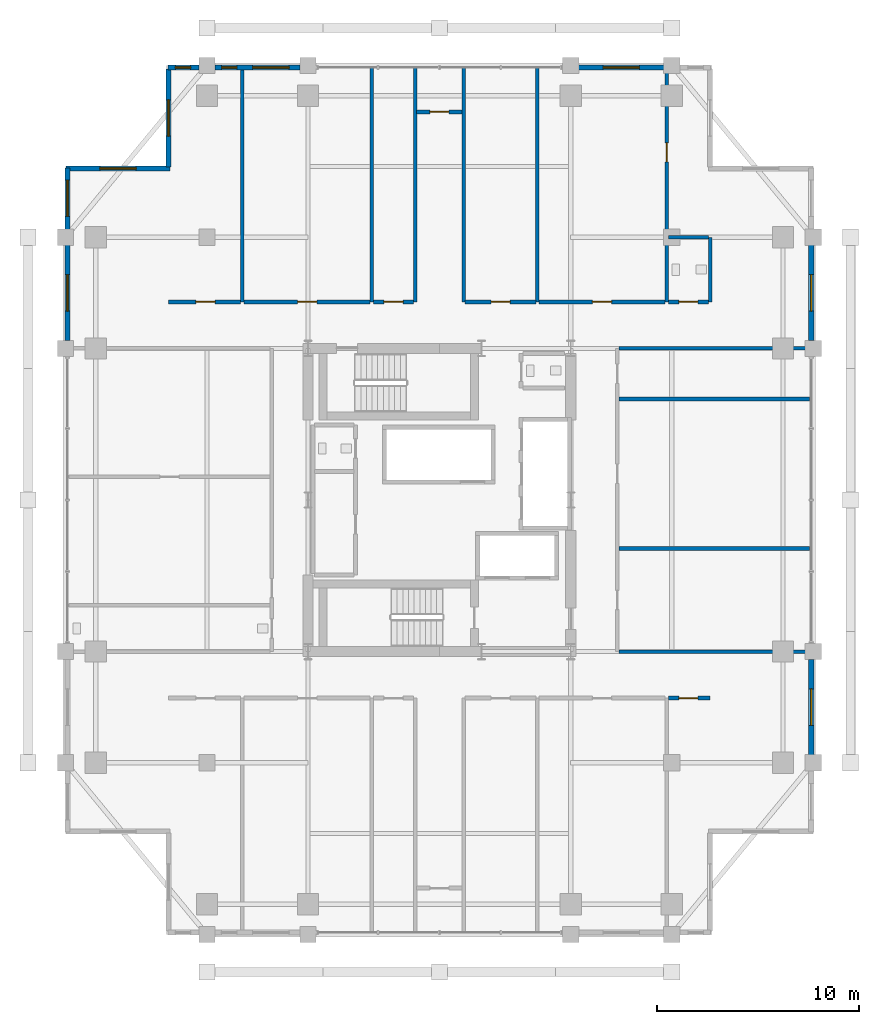
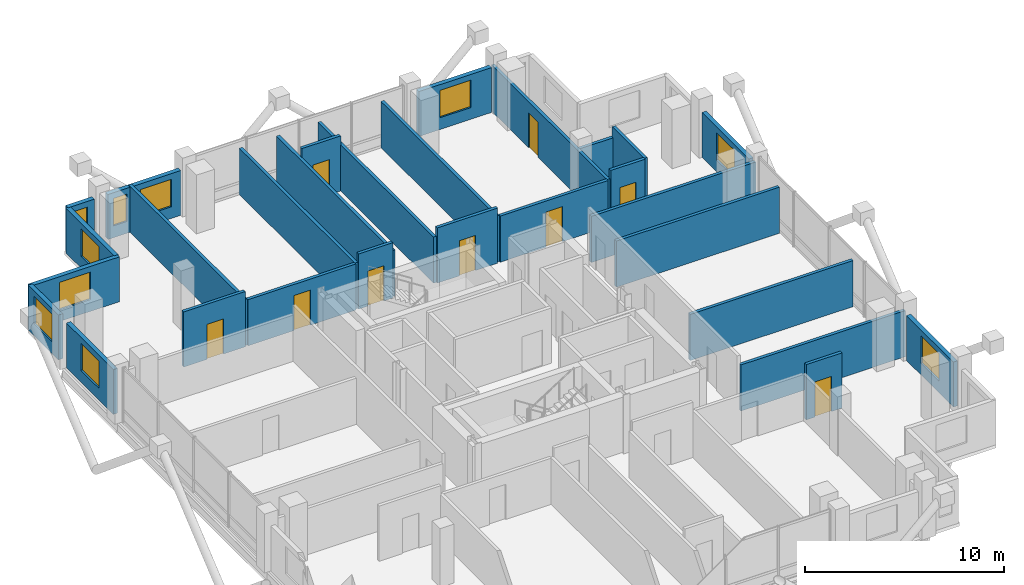
# One storey, part 20 of 23: 29 walls, 10 windows, 9 doors, 19 openings.
"""IFC4 building model written with IfcOpenShell, lengths in metres."""

from ifc_helpers import new_model, si_unit, direction, frame, frame_2d, origin, place, context, subcontext, project, spatial, rectangle, extrude, material, layer, layer_set, type_object, element, fill, save


model = new_model("IFC4")

# Units and contexts
model_context = context("Model", 3, precision=1e-05, world=origin(), true_north=direction((0.0, 1.0)))
body_context = subcontext(model_context, "Body", "Model", "MODEL_VIEW")
ifc_project = project(units=[si_unit("LENGTHUNIT", "METRE"), si_unit("AREAUNIT", "SQUARE_METRE"), si_unit("VOLUMEUNIT", "CUBIC_METRE"), si_unit("PLANEANGLEUNIT", "RADIAN"), si_unit("MASSUNIT", "GRAM", prefix="KILO")], contexts=[model_context])

# Site, building, storey
site_placement = place(None, origin())
site = spatial("IfcSite", under=ifc_project, at=site_placement, CompositionType="ELEMENT")
building_placement = place(site_placement, origin())
building = spatial("IfcBuilding", under=site, at=building_placement, Name="Barlavira Tower and Art Museum", CompositionType="ELEMENT")
storey_placement = place(building_placement, frame((0.0, 0.0, 205.199951171875)))
storey = spatial("IfcBuildingStorey", under=building, at=storey_placement, Name="L53", CompositionType="ELEMENT", Elevation=205.199951171875)

# Walls
ifc_material_1 = material(Name="Gypsum acoustic stud partition", Category="gypsum")
ifc_layer_1 = layer(ifc_material_1, 0.179931640625, Name="Gypsum acoustic stud partition")
ifc_layer_set_1 = layer_set([ifc_layer_1], Name="Gypsum acoustic stud partition")
wall_type_1 = type_object("IfcWallType", Name="Inter-Tenancy Party Partition Wall 180", PredefinedType="PARTITIONING", material=ifc_layer_set_1)
for number, where, z_axis, x_axis, name in (
    (1, (-9.75, 9.800048828125, 0.0), (0.0, 0.0, 1.0), (0.0, 1.0, 0.0), "L53 Partition Wall 2"),
    (2, (-3.35009765625, 9.800048828125, 0.0), (0.0, 0.0, 1.0), (0.0, 1.0, 0.0), "L53 Partition Wall 7"),
    (3, (-1.199951171875, 9.800048828125, 0.0), (0.0, 0.0, 1.0), (0.0, 1.0, 0.0), "L53 Partition Wall 9"),
    (4, (1.199951171875, 9.800048828125, 0.0), (0.0, 0.0, 1.0), (0.0, 1.0, 0.0), "L53 Partition Wall 11"),
    (5, (4.85009765625, 9.800048828125, 0.0), (0.0, 0.0, 1.0), (0.0, 1.0, 0.0), "L53 Partition Wall 14"),
):
    element("IfcWall", number, at=place(storey_placement, frame(where, z_axis=z_axis, x_axis=x_axis)), inside=storey, type_object=wall_type_1, Name=name, PredefinedType="PARTITIONING", context=body_context, shape_type="SweptSolid", body=[
        extrude(rectangle(XDim=11.599853515625, YDim=0.179931640625, at=frame_2d((5.7998046875, 0.0))), origin(), (0.0, 0.0, 1.0), 2.825927734375),
    ])

# Wall, opening, door
wall_1_placement = place(storey_placement, frame((11.25, 9.800048828125, 0.0), z_axis=(0.0, 0.0, 1.0), x_axis=(0.0, 1.0, 0.0)))
wall_1 = element("IfcWall", 6, at=wall_1_placement, inside=storey, type_object=wall_type_1, Name="L53 Partition Wall 17", PredefinedType="PARTITIONING", context=body_context, shape_type="SweptSolid", body=[
    extrude(rectangle(XDim=11.599853515625, YDim=0.179931640625, at=frame_2d((5.7998046875, 0.0))), origin(), (0.0, 0.0, 1.0), 2.825927734375),
])
opening_1_placement = place(wall_1_placement, frame((6.925048828125, 0.0, 0.0)))
opening_1 = element("IfcOpeningElement", 7, at=opening_1_placement, cuts=wall_1, Name="Opening FD-60", PredefinedType="OPENING", context=body_context, shape_type="SweptSolid", body=[
    extrude(rectangle(XDim=0.949951171875, YDim=2.14990234375, at=frame_2d((0.47509765625, 1.074951171875))), frame((0.0, 0.10009765625, 0.0), z_axis=(0.0, -1.0, 0.0), x_axis=(1.0, 0.0, 0.0)), (0.0, 0.0, 1.0), 0.199951171875),
])
ifc_material_2 = material(Name="Brushed stainless steel", Category="steel")
door_type = type_object("IfcDoorType", Name="Apartment Entrance and Riser Fire Door 950x2150 FD60S", OperationType="NOTDEFINED", PredefinedType="DOOR", material=ifc_material_2)
door_1_placement = place(opening_1_placement, origin())
door_1 = element("IfcDoor", 8, at=door_1_placement, inside=storey, type_object=door_type, Name="Thermal Relaxation Lounge Door", OperationType="SINGLE_SWING_RIGHT", OverallHeight=2.14990234375, OverallWidth=0.949951171875, PredefinedType="DOOR", context=body_context, shape_type="SweptSolid", body=[
    extrude(rectangle(XDim=0.949951171875, YDim=2.14990234375, at=frame_2d((0.47509765625, 1.074951171875))), frame((0.0, 0.02490234375, 0.0), z_axis=(0.0, -1.0, 0.0), x_axis=(1.0, 0.0, 0.0)), (0.0, 0.0, 1.0), 0.050048828125),
])
fill(opening_1, door_1)

# Wall
wall_2_placement = place(storey_placement, frame((13.39990234375, 9.800048828125, 0.0), z_axis=(0.0, 0.0, 1.0), x_axis=(0.0, 1.0, 0.0)))
element("IfcWall", 9, at=wall_2_placement, inside=storey, type_object=wall_type_1, Name="L53 Partition Wall 18", PredefinedType="PARTITIONING", context=body_context, shape_type="SweptSolid", body=[
    extrude(rectangle(XDim=3.199951171875, YDim=0.179931640625, at=frame_2d((1.60009765625, 0.0))), origin(), (0.0, 0.0, 1.0), 3.380126953125),
])

# Wall, opening, door
wall_3_placement = place(storey_placement, frame((11.330078125, -9.800048828125, 0.0), z_axis=(0.0, 0.0, 1.0), x_axis=(1.0, 0.0, 0.0)))
wall_3 = element("IfcWall", 10, at=wall_3_placement, inside=storey, type_object=wall_type_1, Name="L53 Partition Wall 25", PredefinedType="PARTITIONING", context=body_context, shape_type="SweptSolid", body=[
    extrude(rectangle(XDim=2.06982421875, YDim=0.179931640625, at=frame_2d((1.034912109375, 0.0))), origin(), (0.0, 0.0, 1.0), 3.380126953125),
])
opening_2_placement = place(wall_3_placement, frame((0.514892578125, 0.0, 0.0)))
opening_2 = element("IfcOpeningElement", 11, at=opening_2_placement, cuts=wall_3, Name="Opening FD-60", PredefinedType="OPENING", context=body_context, shape_type="SweptSolid", body=[
    extrude(rectangle(XDim=0.949951171875, YDim=2.14990234375, at=frame_2d((0.47509765625, 1.074951171875))), frame((0.0, 0.10009765625, 0.0), z_axis=(0.0, -1.0, 0.0), x_axis=(1.0, 0.0, 0.0)), (0.0, 0.0, 1.0), 0.199951171875),
])
door_2_placement = place(opening_2_placement, origin())
door_2 = element("IfcDoor", 12, at=door_2_placement, inside=storey, type_object=door_type, Name="Shared Catering Kitchen Door", OperationType="SINGLE_SWING_RIGHT", OverallHeight=2.14990234375, OverallWidth=0.949951171875, PredefinedType="DOOR", context=body_context, shape_type="SweptSolid", body=[
    extrude(rectangle(XDim=0.949951171875, YDim=2.14990234375, at=frame_2d((0.47509765625, 1.074951171875))), frame((0.0, 0.02490234375, 0.0), z_axis=(0.0, -1.0, 0.0), x_axis=(1.0, 0.0, 0.0)), (0.0, 0.0, 1.0), 0.050048828125),
])
fill(opening_2, door_2)

# Walls
wall_4_placement = place(storey_placement, frame((8.8798828125, -7.5, 0.0), z_axis=(0.0, 0.0, 1.0), x_axis=(1.0, 0.0, 0.0)))
element("IfcWall", 13, at=wall_4_placement, inside=storey, type_object=wall_type_1, Name="L53 Partition Wall 27", PredefinedType="PARTITIONING", context=body_context, shape_type="SweptSolid", body=[
    extrude(rectangle(XDim=9.52001953125, YDim=0.179931640625, at=frame_2d((4.760009765625, 0.0))), origin(), (0.0, 0.0, 1.0), 2.825927734375),
])
for number, where, z_axis, x_axis, name in (
    (14, (8.8798828125, -2.39990234375, 0.0), (0.0, 0.0, 1.0), (1.0, 0.0, 0.0), "L53 Partition Wall 30"),
    (15, (8.8798828125, 5.0, 0.0), (0.0, 0.0, 1.0), (1.0, 0.0, 0.0), "L53 Partition Wall 34"),
):
    element("IfcWall", number, at=place(storey_placement, frame(where, z_axis=z_axis, x_axis=x_axis)), inside=storey, type_object=wall_type_1, Name=name, PredefinedType="PARTITIONING", context=body_context, shape_type="SweptSolid", body=[
        extrude(rectangle(XDim=9.440185546875, YDim=0.179931640625, at=frame_2d((4.72021484375, 0.0))), origin(), (0.0, 0.0, 1.0), 2.825927734375),
    ])
wall_5_placement = place(storey_placement, frame((8.8798828125, 7.5, 0.0), z_axis=(0.0, 0.0, 1.0), x_axis=(1.0, 0.0, 0.0)))
element("IfcWall", 16, at=wall_5_placement, inside=storey, type_object=wall_type_1, Name="L53 Partition Wall 38", PredefinedType="PARTITIONING", context=body_context, shape_type="SweptSolid", body=[
    extrude(rectangle(XDim=9.52001953125, YDim=0.179931640625, at=frame_2d((4.760009765625, 0.0))), origin(), (0.0, 0.0, 1.0), 2.825927734375),
])

# Wall, opening, door
wall_6_placement = place(storey_placement, frame((-13.39990234375, 9.800048828125, 0.0), z_axis=(0.0, 0.0, 1.0), x_axis=(1.0, 0.0, 0.0)))
wall_6 = element("IfcWall", 17, at=wall_6_placement, inside=storey, type_object=wall_type_1, Name="L53 Partition Wall 39", PredefinedType="PARTITIONING", context=body_context, shape_type="SweptSolid", body=[
    extrude(rectangle(XDim=3.56982421875, YDim=0.179931640625, at=frame_2d((1.784912109375, 0.0))), origin(), (0.0, 0.0, 1.0), 3.380126953125),
])
opening_3_placement = place(wall_6_placement, frame((1.35498046875, 0.0, 0.0)))
opening_3 = element("IfcOpeningElement", 18, at=opening_3_placement, cuts=wall_6, Name="Opening FD-60", PredefinedType="OPENING", context=body_context, shape_type="SweptSolid", body=[
    extrude(rectangle(XDim=0.949951171875, YDim=2.14990234375, at=frame_2d((0.47509765625, 1.074951171875))), frame((0.0, 0.10009765625, 0.0), z_axis=(0.0, -1.0, 0.0), x_axis=(1.0, 0.0, 0.0)), (0.0, 0.0, 1.0), 0.199951171875),
])
door_3_placement = place(opening_3_placement, origin())
door_3 = element("IfcDoor", 19, at=door_3_placement, inside=storey, type_object=door_type, Name="Resident Sky Coworking Studio Door", OperationType="SINGLE_SWING_RIGHT", OverallHeight=2.14990234375, OverallWidth=0.949951171875, PredefinedType="DOOR", context=body_context, shape_type="SweptSolid", body=[
    extrude(rectangle(XDim=0.949951171875, YDim=2.14990234375, at=frame_2d((0.47509765625, 1.074951171875))), frame((0.0, 0.02490234375, 0.0), z_axis=(0.0, -1.0, 0.0), x_axis=(1.0, 0.0, 0.0)), (0.0, 0.0, 1.0), 0.050048828125),
])
fill(opening_3, door_3)

wall_7_placement = place(storey_placement, frame((-9.669921875, 9.800048828125, 0.0), z_axis=(0.0, 0.0, 1.0), x_axis=(1.0, 0.0, 0.0)))
wall_7 = element("IfcWall", 20, at=wall_7_placement, inside=storey, type_object=wall_type_1, Name="L53 Partition Wall 40", PredefinedType="PARTITIONING", context=body_context, shape_type="SweptSolid", body=[
    extrude(rectangle(XDim=6.239990234375, YDim=0.179931640625, at=frame_2d((3.1201171875, 0.0))), origin(), (0.0, 0.0, 1.0), 2.825927734375),
])
opening_4_placement = place(wall_7_placement, frame((2.655029296875, 0.0, 0.0)))
opening_4 = element("IfcOpeningElement", 21, at=opening_4_placement, cuts=wall_7, Name="Opening FD-60", PredefinedType="OPENING", context=body_context, shape_type="SweptSolid", body=[
    extrude(rectangle(XDim=0.949951171875, YDim=2.14990234375, at=frame_2d((0.47509765625, 1.074951171875))), frame((0.0, 0.10009765625, 0.0), z_axis=(0.0, -1.0, 0.0), x_axis=(1.0, 0.0, 0.0)), (0.0, 0.0, 1.0), 0.199951171875),
])
door_4_placement = place(opening_4_placement, origin())
door_4 = element("IfcDoor", 22, at=door_4_placement, inside=storey, type_object=door_type, Name="Atlantic Horizon Boardroom Door", OperationType="SINGLE_SWING_LEFT", OverallHeight=2.14990234375, OverallWidth=0.949951171875, PredefinedType="DOOR", context=body_context, shape_type="SweptSolid", body=[
    extrude(rectangle(XDim=0.949951171875, YDim=2.14990234375, at=frame_2d((0.47509765625, 1.074951171875))), frame((0.0, 0.02490234375, 0.0), z_axis=(0.0, -1.0, 0.0), x_axis=(1.0, 0.0, 0.0)), (0.0, 0.0, 1.0), 0.050048828125),
])
fill(opening_4, door_4)

wall_8_placement = place(storey_placement, frame((-3.27001953125, 9.800048828125, 0.0), z_axis=(0.0, 0.0, 1.0), x_axis=(1.0, 0.0, 0.0)))
wall_8 = element("IfcWall", 23, at=wall_8_placement, inside=storey, type_object=wall_type_1, Name="L53 Partition Wall 41", PredefinedType="PARTITIONING", context=body_context, shape_type="SweptSolid", body=[
    extrude(rectangle(XDim=1.989990234375, YDim=0.179931640625, at=frame_2d((0.9951171875, 0.0))), origin(), (0.0, 0.0, 1.0), 3.380126953125),
])
opening_5_placement = place(wall_8_placement, frame((0.52490234375, 0.0, 0.0)))
opening_5 = element("IfcOpeningElement", 24, at=opening_5_placement, cuts=wall_8, Name="Opening FD-60", PredefinedType="OPENING", context=body_context, shape_type="SweptSolid", body=[
    extrude(rectangle(XDim=0.949951171875, YDim=2.14990234375, at=frame_2d((0.47509765625, 1.074951171875))), frame((0.0, 0.10009765625, 0.0), z_axis=(0.0, -1.0, 0.0), x_axis=(1.0, 0.0, 0.0)), (0.0, 0.0, 1.0), 0.199951171875),
])
door_5_placement = place(opening_5_placement, origin())
door_5 = element("IfcDoor", 25, at=door_5_placement, inside=storey, type_object=door_type, Name="Shared Coworking Espresso Pantry Door", OperationType="SINGLE_SWING_RIGHT", OverallHeight=2.14990234375, OverallWidth=0.949951171875, PredefinedType="DOOR", context=body_context, shape_type="SweptSolid", body=[
    extrude(rectangle(XDim=0.949951171875, YDim=2.14990234375, at=frame_2d((0.47509765625, 1.074951171875))), frame((0.0, 0.02490234375, 0.0), z_axis=(0.0, -1.0, 0.0), x_axis=(1.0, 0.0, 0.0)), (0.0, 0.0, 1.0), 0.050048828125),
])
fill(opening_5, door_5)

wall_9_placement = place(storey_placement, frame((1.280029296875, 9.800048828125, 0.0), z_axis=(0.0, 0.0, 1.0), x_axis=(1.0, 0.0, 0.0)))
wall_9 = element("IfcWall", 26, at=wall_9_placement, inside=storey, type_object=wall_type_1, Name="L53 Partition Wall 42", PredefinedType="PARTITIONING", context=body_context, shape_type="SweptSolid", body=[
    extrude(rectangle(XDim=3.489990234375, YDim=0.179931640625, at=frame_2d((1.7451171875, 0.0))), origin(), (0.0, 0.0, 1.0), 3.380126953125),
])
opening_6_placement = place(wall_9_placement, frame((1.27490234375, 0.0, 0.0)))
opening_6 = element("IfcOpeningElement", 27, at=opening_6_placement, cuts=wall_9, Name="Opening FD-60", PredefinedType="OPENING", context=body_context, shape_type="SweptSolid", body=[
    extrude(rectangle(XDim=0.949951171875, YDim=2.14990234375, at=frame_2d((0.47509765625, 1.074951171875))), frame((0.0, 0.10009765625, 0.0), z_axis=(0.0, -1.0, 0.0), x_axis=(1.0, 0.0, 0.0)), (0.0, 0.0, 1.0), 0.199951171875),
])
door_6_placement = place(opening_6_placement, origin())
door_6 = element("IfcDoor", 28, at=door_6_placement, inside=storey, type_object=door_type, Name="Resident Ocean-View Fitness Studio Door", OperationType="SINGLE_SWING_LEFT", OverallHeight=2.14990234375, OverallWidth=0.949951171875, PredefinedType="DOOR", context=body_context, shape_type="SweptSolid", body=[
    extrude(rectangle(XDim=0.949951171875, YDim=2.14990234375, at=frame_2d((0.47509765625, 1.074951171875))), frame((0.0, 0.02490234375, 0.0), z_axis=(0.0, -1.0, 0.0), x_axis=(1.0, 0.0, 0.0)), (0.0, 0.0, 1.0), 0.050048828125),
])
fill(opening_6, door_6)

wall_10_placement = place(storey_placement, frame((4.929931640625, 9.800048828125, 0.0), z_axis=(0.0, 0.0, 1.0), x_axis=(1.0, 0.0, 0.0)))
wall_10 = element("IfcWall", 29, at=wall_10_placement, inside=storey, type_object=wall_type_1, Name="L53 Partition Wall 43", PredefinedType="PARTITIONING", context=body_context, shape_type="SweptSolid", body=[
    extrude(rectangle(XDim=6.239990234375, YDim=0.179931640625, at=frame_2d((3.1201171875, 0.0))), origin(), (0.0, 0.0, 1.0), 2.825927734375),
])
opening_7_placement = place(wall_10_placement, frame((2.64501953125, 0.0, 0.0)))
opening_7 = element("IfcOpeningElement", 30, at=opening_7_placement, cuts=wall_10, Name="Opening FD-60", PredefinedType="OPENING", context=body_context, shape_type="SweptSolid", body=[
    extrude(rectangle(XDim=0.949951171875, YDim=2.14990234375, at=frame_2d((0.47509765625, 1.074951171875))), frame((0.0, 0.10009765625, 0.0), z_axis=(0.0, -1.0, 0.0), x_axis=(1.0, 0.0, 0.0)), (0.0, 0.0, 1.0), 0.199951171875),
])
door_7_placement = place(opening_7_placement, origin())
door_7 = element("IfcDoor", 31, at=door_7_placement, inside=storey, type_object=door_type, Name="Coastal Hydrotherapy and Yoga Lounge Door", OperationType="SINGLE_SWING_RIGHT", OverallHeight=2.14990234375, OverallWidth=0.949951171875, PredefinedType="DOOR", context=body_context, shape_type="SweptSolid", body=[
    extrude(rectangle(XDim=0.949951171875, YDim=2.14990234375, at=frame_2d((0.47509765625, 1.074951171875))), frame((0.0, 0.02490234375, 0.0), z_axis=(0.0, -1.0, 0.0), x_axis=(1.0, 0.0, 0.0)), (0.0, 0.0, 1.0), 0.050048828125),
])
fill(opening_7, door_7)

wall_11_placement = place(storey_placement, frame((11.330078125, 9.800048828125, 0.0), z_axis=(0.0, 0.0, 1.0), x_axis=(1.0, 0.0, 0.0)))
wall_11 = element("IfcWall", 32, at=wall_11_placement, inside=storey, type_object=wall_type_1, Name="L53 Partition Wall 44", PredefinedType="PARTITIONING", context=body_context, shape_type="SweptSolid", body=[
    extrude(rectangle(XDim=1.989990234375, YDim=0.179931640625, at=frame_2d((0.9951171875, 0.0))), origin(), (0.0, 0.0, 1.0), 3.380126953125),
])
opening_8_placement = place(wall_11_placement, frame((0.514892578125, 0.0, 0.0)))
opening_8 = element("IfcOpeningElement", 33, at=opening_8_placement, cuts=wall_11, Name="Opening FD-60", PredefinedType="OPENING", context=body_context, shape_type="SweptSolid", body=[
    extrude(rectangle(XDim=0.949951171875, YDim=2.14990234375, at=frame_2d((0.47509765625, 1.074951171875))), frame((0.0, 0.10009765625, 0.0), z_axis=(0.0, -1.0, 0.0), x_axis=(1.0, 0.0, 0.0)), (0.0, 0.0, 1.0), 0.199951171875),
])
door_8_placement = place(opening_8_placement, origin())
door_8 = element("IfcDoor", 34, at=door_8_placement, inside=storey, type_object=door_type, Name="Wellness Changing and Accessible Shower WC Door", OperationType="SINGLE_SWING_LEFT", OverallHeight=2.14990234375, OverallWidth=0.949951171875, PredefinedType="DOOR", context=body_context, shape_type="SweptSolid", body=[
    extrude(rectangle(XDim=0.949951171875, YDim=2.14990234375, at=frame_2d((0.47509765625, 1.074951171875))), frame((0.0, 0.02490234375, 0.0), z_axis=(0.0, -1.0, 0.0), x_axis=(1.0, 0.0, 0.0)), (0.0, 0.0, 1.0), 0.050048828125),
])
fill(opening_8, door_8)

# Wall
wall_12_placement = place(storey_placement, frame((11.330078125, 13.0, 0.0), z_axis=(0.0, 0.0, 1.0), x_axis=(1.0, 0.0, 0.0)))
element("IfcWall", 35, at=wall_12_placement, inside=storey, type_object=wall_type_1, Name="L53 Partition Wall 45", PredefinedType="PARTITIONING", context=body_context, shape_type="SweptSolid", body=[
    extrude(rectangle(XDim=1.989990234375, YDim=0.179931640625, at=frame_2d((0.9951171875, 0.0))), origin(), (0.0, 0.0, 1.0), 2.748046875),
])

# Wall, opening, door
wall_13_placement = place(storey_placement, frame((-1.1201171875, 19.199951171875, 0.0), z_axis=(0.0, 0.0, 1.0), x_axis=(1.0, 0.0, 0.0)))
wall_13 = element("IfcWall", 36, at=wall_13_placement, inside=storey, type_object=wall_type_1, Name="L53 Partition Wall 46", PredefinedType="PARTITIONING", context=body_context, shape_type="SweptSolid", body=[
    extrude(rectangle(XDim=2.240234375, YDim=0.179931640625, at=frame_2d((1.1201171875, 0.0))), origin(), (0.0, 0.0, 1.0), 3.380126953125),
])
opening_9_placement = place(wall_13_placement, frame((0.64501953125, 0.0, 0.0)))
opening_9 = element("IfcOpeningElement", 37, at=opening_9_placement, cuts=wall_13, Name="Opening FD-60", PredefinedType="OPENING", context=body_context, shape_type="SweptSolid", body=[
    extrude(rectangle(XDim=0.949951171875, YDim=2.14990234375, at=frame_2d((0.47509765625, 1.074951171875))), frame((0.0, 0.10009765625, 0.0), z_axis=(0.0, -1.0, 0.0), x_axis=(1.0, 0.0, 0.0)), (0.0, 0.0, 1.0), 0.199951171875),
])
door_9_placement = place(opening_9_placement, origin())
door_9 = element("IfcDoor", 38, at=door_9_placement, inside=storey, type_object=door_type, Name="L53 North Ocean Alcove Door", OperationType="SINGLE_SWING_LEFT", OverallHeight=2.14990234375, OverallWidth=0.949951171875, PredefinedType="DOOR", context=body_context, shape_type="SweptSolid", body=[
    extrude(rectangle(XDim=0.949951171875, YDim=2.14990234375, at=frame_2d((0.47509765625, 1.074951171875))), frame((0.0, 0.02490234375, 0.0), z_axis=(0.0, -1.0, 0.0), x_axis=(1.0, 0.0, 0.0)), (0.0, 0.0, 1.0), 0.050048828125),
])
fill(opening_9, door_9)

# Wall, opening, window
ifc_material_3 = material(Name="Precast concrete C40", Category="concrete")
ifc_layer_2 = layer(ifc_material_3, 0.25, Name="Precast concrete C40")
ifc_layer_set_2 = layer_set([ifc_layer_2], Name="Precast concrete C40")
wall_type_2 = type_object("IfcWallType", Name="Notched Corner Spandrel Wall 250 Precast Concrete C40", PredefinedType="SOLIDWALL", material=ifc_layer_set_2)
wall_14_placement = place(storey_placement, frame((11.10498046875, 21.39990234375, 0.0), z_axis=(0.0, 0.0, 1.0), x_axis=(-1.0, 0.0, 0.0)))
wall_14 = element("IfcWall", 39, at=wall_14_placement, inside=storey, type_object=wall_type_2, Name="L53 Coastal Facade Pier Wall CW3-L53-N-2", PredefinedType="SOLIDWALL", context=body_context, shape_type="SweptSolid", body=[
    extrude(rectangle(XDim=4.2099609375, YDim=0.25, at=frame_2d((2.10498046875, 0.0))), origin(), (0.0, 0.0, 1.0), 2.748046875),
])
opening_10_placement = place(wall_14_placement, frame((1.205078125, 0.0, 0.719970703125)))
opening_10 = element("IfcOpeningElement", 40, at=opening_10_placement, cuts=wall_14, Name="Opening WN-01", PredefinedType="OPENING", context=body_context, shape_type="SweptSolid", body=[
    extrude(rectangle(XDim=1.800048828125, YDim=1.679931640625, at=frame_2d((0.89990234375, 0.83984375))), frame((0.0, 0.135009765625, 0.0), z_axis=(0.0, -1.0, 0.0), x_axis=(1.0, 0.0, 0.0)), (0.0, 0.0, 1.0), 0.27001953125),
])
ifc_material_4 = material(Name="Low-iron coastal laminated glass", Category="glass")
window_type_1 = type_object("IfcWindowType", Name="Recessed Notch Corner Punch Window 1800x1680", PartitioningType="SINGLE_PANEL", PredefinedType="WINDOW", material=ifc_material_4)
window_1_placement = place(opening_10_placement, origin())
window_1 = element("IfcWindow", 41, at=window_1_placement, inside=storey, type_object=window_type_1, Name="L53 Punched Facade Window EWP-CW3-L53-N-2-1", OverallHeight=1.679931640625, OverallWidth=1.800048828125, PartitioningType="SINGLE_PANEL", PredefinedType="WINDOW", context=body_context, shape_type="SweptSolid", body=[
    extrude(rectangle(XDim=1.800048828125, YDim=1.679931640625, at=frame_2d((0.89990234375, 0.83984375))), frame((0.0, 0.030029296875, 0.0), z_axis=(0.0, -1.0, 0.0), x_axis=(1.0, 0.0, 0.0)), (0.0, 0.0, 1.0), 0.06005859375),
])
fill(opening_10, window_1)

# Wall, openings, windows
wall_15_placement = place(storey_placement, frame((-6.89501953125, 21.39990234375, 0.0), z_axis=(0.0, 0.0, 1.0), x_axis=(-1.0, 0.0, 0.0)))
wall_15 = element("IfcWall", 42, at=wall_15_placement, inside=storey, type_object=wall_type_2, Name="L53 Coastal Facade Pier Wall CW3-L53-N-4", PredefinedType="SOLIDWALL", context=body_context, shape_type="SweptSolid", body=[
    extrude(rectangle(XDim=4.2099609375, YDim=0.25, at=frame_2d((2.10498046875, 0.0))), origin(), (0.0, 0.0, 1.0), 2.748046875),
])
opening_11_placement = place(wall_15_placement, frame((0.544921875, 0.0, 0.719970703125)))
opening_11 = element("IfcOpeningElement", 43, at=opening_11_placement, cuts=wall_15, Name="Opening WN-01", PredefinedType="OPENING", context=body_context, shape_type="SweptSolid", body=[
    extrude(rectangle(XDim=1.800048828125, YDim=1.679931640625, at=frame_2d((0.89990234375, 0.83984375))), frame((0.0, 0.135009765625, 0.0), z_axis=(0.0, -1.0, 0.0), x_axis=(1.0, 0.0, 0.0)), (0.0, 0.0, 1.0), 0.27001953125),
])
opening_12_placement = place(wall_15_placement, frame((3.125, 0.0, 0.719970703125)))
opening_12 = element("IfcOpeningElement", 44, at=opening_12_placement, cuts=wall_15, Name="Opening WN-06", PredefinedType="OPENING", context=body_context, shape_type="SweptSolid", body=[
    extrude(rectangle(XDim=0.760009765625, YDim=1.679931640625, at=frame_2d((0.3798828125, 0.83984375))), frame((0.0, 0.135009765625, 0.0), z_axis=(0.0, -1.0, 0.0), x_axis=(1.0, 0.0, 0.0)), (0.0, 0.0, 1.0), 0.27001953125),
])
window_type_2 = type_object("IfcWindowType", Name="Recessed Narrow Pier Window 760x1680", PartitioningType="SINGLE_PANEL", PredefinedType="WINDOW", material=ifc_material_4)
window_2_placement = place(opening_12_placement, origin())
window_2 = element("IfcWindow", 45, at=window_2_placement, inside=storey, type_object=window_type_2, Name="L53 Punched Facade Window EWP-CW3-L53-N-4-2", OverallHeight=1.679931640625, OverallWidth=0.760009765625, PartitioningType="SINGLE_PANEL", PredefinedType="WINDOW", context=body_context, shape_type="SweptSolid", body=[
    extrude(rectangle(XDim=0.760009765625, YDim=1.679931640625, at=frame_2d((0.3798828125, 0.83984375))), frame((0.0, 0.030029296875, 0.0), z_axis=(0.0, -1.0, 0.0), x_axis=(1.0, 0.0, 0.0)), (0.0, 0.0, 1.0), 0.06005859375),
])
fill(opening_12, window_2)
window_3_placement = place(opening_11_placement, origin())
window_3 = element("IfcWindow", 46, at=window_3_placement, inside=storey, type_object=window_type_1, Name="L53 Punched Facade Window EWP-CW3-L53-N-4-1", OverallHeight=1.679931640625, OverallWidth=1.800048828125, PartitioningType="SINGLE_PANEL", PredefinedType="WINDOW", context=body_context, shape_type="SweptSolid", body=[
    extrude(rectangle(XDim=1.800048828125, YDim=1.679931640625, at=frame_2d((0.89990234375, 0.83984375))), frame((0.0, 0.030029296875, 0.0), z_axis=(0.0, -1.0, 0.0), x_axis=(1.0, 0.0, 0.0)), (0.0, 0.0, 1.0), 0.06005859375),
])
fill(opening_11, window_3)

# Wall, opening, window
wall_16_placement = place(storey_placement, frame((-11.89501953125, 21.39990234375, 0.0), z_axis=(0.0, 0.0, 1.0), x_axis=(-1.0, 0.0, 0.0)))
wall_16 = element("IfcWall", 47, at=wall_16_placement, inside=storey, type_object=wall_type_2, Name="L53 Coastal Facade Pier Wall CW3-L53-N-5", PredefinedType="SOLIDWALL", context=body_context, shape_type="SweptSolid", body=[
    extrude(rectangle(XDim=1.530029296875, YDim=0.25, at=frame_2d((0.76513671875, 0.0))), origin(), (0.0, 0.0, 1.0), 2.748046875),
])
opening_13_placement = place(wall_16_placement, frame((0.407958984375, 0.0, 0.719970703125)))
opening_13 = element("IfcOpeningElement", 48, at=opening_13_placement, cuts=wall_16, Name="Opening WN-06", PredefinedType="OPENING", context=body_context, shape_type="SweptSolid", body=[
    extrude(rectangle(XDim=0.760009765625, YDim=1.679931640625, at=frame_2d((0.3798828125, 0.83984375))), frame((0.0, 0.135009765625, 0.0), z_axis=(0.0, -1.0, 0.0), x_axis=(1.0, 0.0, 0.0)), (0.0, 0.0, 1.0), 0.27001953125),
])
window_4_placement = place(opening_13_placement, origin())
window_4 = element("IfcWindow", 49, at=window_4_placement, inside=storey, type_object=window_type_2, Name="L53 Punched Facade Window EWP-CW3-L53-N-5-1", OverallHeight=1.679931640625, OverallWidth=0.760009765625, PartitioningType="SINGLE_PANEL", PredefinedType="WINDOW", context=body_context, shape_type="SweptSolid", body=[
    extrude(rectangle(XDim=0.760009765625, YDim=1.679931640625, at=frame_2d((0.3798828125, 0.83984375))), frame((0.0, 0.030029296875, 0.0), z_axis=(0.0, -1.0, 0.0), x_axis=(1.0, 0.0, 0.0)), (0.0, 0.0, 1.0), 0.06005859375),
])
fill(opening_13, window_4)

wall_17_placement = place(storey_placement, frame((-18.39990234375, 16.425048828125, 0.0), z_axis=(0.0, 0.0, 1.0), x_axis=(0.0, -1.0, 0.0)))
wall_17 = element("IfcWall", 50, at=wall_17_placement, inside=storey, type_object=wall_type_2, Name="L53 Coastal Facade Pier Wall CW3-L53-W-1", PredefinedType="SOLIDWALL", context=body_context, shape_type="SweptSolid", body=[
    extrude(rectangle(XDim=3.030029296875, YDim=0.25, at=frame_2d((1.51513671875, 0.0))), origin(), (0.0, 0.0, 1.0), 2.748046875),
])
opening_14_placement = place(wall_17_placement, frame((0.593017578125, 0.0, 0.719970703125)))
opening_14 = element("IfcOpeningElement", 51, at=opening_14_placement, cuts=wall_17, Name="Opening WN-01", PredefinedType="OPENING", context=body_context, shape_type="SweptSolid", body=[
    extrude(rectangle(XDim=1.800048828125, YDim=1.679931640625, at=frame_2d((0.89990234375, 0.83984375))), frame((0.0, 0.135009765625, 0.0), z_axis=(0.0, -1.0, 0.0), x_axis=(1.0, 0.0, 0.0)), (0.0, 0.0, 1.0), 0.27001953125),
])
window_5_placement = place(opening_14_placement, origin())
window_5 = element("IfcWindow", 52, at=window_5_placement, inside=storey, type_object=window_type_1, Name="L53 Punched Facade Window EWP-CW3-L53-W-1-1", OverallHeight=1.679931640625, OverallWidth=1.800048828125, PartitioningType="SINGLE_PANEL", PredefinedType="WINDOW", context=body_context, shape_type="SweptSolid", body=[
    extrude(rectangle(XDim=1.800048828125, YDim=1.679931640625, at=frame_2d((0.89990234375, 0.83984375))), frame((0.0, 0.030029296875, 0.0), z_axis=(0.0, -1.0, 0.0), x_axis=(1.0, 0.0, 0.0)), (0.0, 0.0, 1.0), 0.06005859375),
])
fill(opening_14, window_5)

wall_18_placement = place(storey_placement, frame((-18.39990234375, 12.60498046875, 0.0), z_axis=(0.0, 0.0, 1.0), x_axis=(0.0, -1.0, 0.0)))
wall_18 = element("IfcWall", 53, at=wall_18_placement, inside=storey, type_object=wall_type_2, Name="L53 Coastal Facade Pier Wall CW3-L53-W-2", PredefinedType="SOLIDWALL", context=body_context, shape_type="SweptSolid", body=[
    extrude(rectangle(XDim=4.7099609375, YDim=0.25, at=frame_2d((2.35498046875, 0.0))), origin(), (0.0, 0.0, 1.0), 2.748046875),
])
opening_15_placement = place(wall_18_placement, frame((1.455078125, 0.0, 0.719970703125)))
opening_15 = element("IfcOpeningElement", 54, at=opening_15_placement, cuts=wall_18, Name="Opening WN-01", PredefinedType="OPENING", context=body_context, shape_type="SweptSolid", body=[
    extrude(rectangle(XDim=1.800048828125, YDim=1.679931640625, at=frame_2d((0.89990234375, 0.83984375))), frame((0.0, 0.135009765625, 0.0), z_axis=(0.0, -1.0, 0.0), x_axis=(1.0, 0.0, 0.0)), (0.0, 0.0, 1.0), 0.27001953125),
])
window_6_placement = place(opening_15_placement, origin())
window_6 = element("IfcWindow", 55, at=window_6_placement, inside=storey, type_object=window_type_1, Name="L53 Punched Facade Window EWP-CW3-L53-W-2-1", OverallHeight=1.679931640625, OverallWidth=1.800048828125, PartitioningType="SINGLE_PANEL", PredefinedType="WINDOW", context=body_context, shape_type="SweptSolid", body=[
    extrude(rectangle(XDim=1.800048828125, YDim=1.679931640625, at=frame_2d((0.89990234375, 0.83984375))), frame((0.0, 0.030029296875, 0.0), z_axis=(0.0, -1.0, 0.0), x_axis=(1.0, 0.0, 0.0)), (0.0, 0.0, 1.0), 0.06005859375),
])
fill(opening_15, window_6)

wall_19_placement = place(storey_placement, frame((18.39990234375, -12.60498046875, 0.0), z_axis=(0.0, 0.0, 1.0), x_axis=(0.0, 1.0, 0.0)))
wall_19 = element("IfcWall", 56, at=wall_19_placement, inside=storey, type_object=wall_type_2, Name="L53 Coastal Facade Pier Wall CW3-L53-E-2", PredefinedType="SOLIDWALL", context=body_context, shape_type="SweptSolid", body=[
    extrude(rectangle(XDim=4.7099609375, YDim=0.25, at=frame_2d((2.35498046875, 0.0))), origin(), (0.0, 0.0, 1.0), 2.748046875),
])
opening_16_placement = place(wall_19_placement, frame((1.455078125, 0.0, 0.719970703125)))
opening_16 = element("IfcOpeningElement", 57, at=opening_16_placement, cuts=wall_19, Name="Opening WN-01", PredefinedType="OPENING", context=body_context, shape_type="SweptSolid", body=[
    extrude(rectangle(XDim=1.800048828125, YDim=1.679931640625, at=frame_2d((0.89990234375, 0.83984375))), frame((0.0, 0.135009765625, 0.0), z_axis=(0.0, -1.0, 0.0), x_axis=(1.0, 0.0, 0.0)), (0.0, 0.0, 1.0), 0.27001953125),
])
window_7_placement = place(opening_16_placement, origin())
window_7 = element("IfcWindow", 58, at=window_7_placement, inside=storey, type_object=window_type_1, Name="L53 Punched Facade Window EWP-CW3-L53-E-2-1", OverallHeight=1.679931640625, OverallWidth=1.800048828125, PartitioningType="SINGLE_PANEL", PredefinedType="WINDOW", context=body_context, shape_type="SweptSolid", body=[
    extrude(rectangle(XDim=1.800048828125, YDim=1.679931640625, at=frame_2d((0.89990234375, 0.83984375))), frame((0.0, 0.030029296875, 0.0), z_axis=(0.0, -1.0, 0.0), x_axis=(1.0, 0.0, 0.0)), (0.0, 0.0, 1.0), 0.06005859375),
])
fill(opening_16, window_7)

wall_20_placement = place(storey_placement, frame((18.39990234375, 7.89501953125, 0.0), z_axis=(0.0, 0.0, 1.0), x_axis=(0.0, 1.0, 0.0)))
wall_20 = element("IfcWall", 59, at=wall_20_placement, inside=storey, type_object=wall_type_2, Name="L53 Coastal Facade Pier Wall CW3-L53-E-4", PredefinedType="SOLIDWALL", context=body_context, shape_type="SweptSolid", body=[
    extrude(rectangle(XDim=4.7099609375, YDim=0.25, at=frame_2d((2.35498046875, 0.0))), origin(), (0.0, 0.0, 1.0), 2.748046875),
])
opening_17_placement = place(wall_20_placement, frame((1.455078125, 0.0, 0.719970703125)))
opening_17 = element("IfcOpeningElement", 60, at=opening_17_placement, cuts=wall_20, Name="Opening WN-01", PredefinedType="OPENING", context=body_context, shape_type="SweptSolid", body=[
    extrude(rectangle(XDim=1.800048828125, YDim=1.679931640625, at=frame_2d((0.89990234375, 0.83984375))), frame((0.0, 0.135009765625, 0.0), z_axis=(0.0, -1.0, 0.0), x_axis=(1.0, 0.0, 0.0)), (0.0, 0.0, 1.0), 0.27001953125),
])
window_8_placement = place(opening_17_placement, origin())
window_8 = element("IfcWindow", 61, at=window_8_placement, inside=storey, type_object=window_type_1, Name="L53 Punched Facade Window EWP-CW3-L53-E-4-1", OverallHeight=1.679931640625, OverallWidth=1.800048828125, PartitioningType="SINGLE_PANEL", PredefinedType="WINDOW", context=body_context, shape_type="SweptSolid", body=[
    extrude(rectangle(XDim=1.800048828125, YDim=1.679931640625, at=frame_2d((0.89990234375, 0.83984375))), frame((0.0, 0.030029296875, 0.0), z_axis=(0.0, -1.0, 0.0), x_axis=(1.0, 0.0, 0.0)), (0.0, 0.0, 1.0), 0.06005859375),
])
fill(opening_17, window_8)

wall_21_placement = place(storey_placement, frame((-13.39990234375, 21.320068359375, 0.0), z_axis=(0.0, 0.0, 1.0), x_axis=(0.0, -1.0, 0.0)))
wall_21 = element("IfcWall", 62, at=wall_21_placement, inside=storey, type_object=wall_type_2, Name="L53 Notch Corner Wall NW1", PredefinedType="SOLIDWALL", context=body_context, shape_type="SweptSolid", body=[
    extrude(rectangle(XDim=4.840087890625, YDim=0.25, at=frame_2d((2.419921875, 0.0))), origin(), (0.0, 0.0, 1.0), 2.748046875),
])
opening_18_placement = place(wall_21_placement, frame((1.52001953125, 0.0, 0.719970703125)))
opening_18 = element("IfcOpeningElement", 63, at=opening_18_placement, cuts=wall_21, Name="Opening WN-01", PredefinedType="OPENING", context=body_context, shape_type="SweptSolid", body=[
    extrude(rectangle(XDim=1.800048828125, YDim=1.679931640625, at=frame_2d((0.89990234375, 0.83984375))), frame((0.0, 0.135009765625, 0.0), z_axis=(0.0, -1.0, 0.0), x_axis=(1.0, 0.0, 0.0)), (0.0, 0.0, 1.0), 0.27001953125),
])
window_9_placement = place(opening_18_placement, origin())
window_9 = element("IfcWindow", 64, at=window_9_placement, inside=storey, type_object=window_type_1, Name="L53 Punched Facade Window EW-NTC-L53-NW1-1", OverallHeight=1.679931640625, OverallWidth=1.800048828125, PartitioningType="SINGLE_PANEL", PredefinedType="WINDOW", context=body_context, shape_type="SweptSolid", body=[
    extrude(rectangle(XDim=1.800048828125, YDim=1.679931640625, at=frame_2d((0.89990234375, 0.83984375))), frame((0.0, 0.030029296875, 0.0), z_axis=(0.0, -1.0, 0.0), x_axis=(1.0, 0.0, 0.0)), (0.0, 0.0, 1.0), 0.06005859375),
])
fill(opening_18, window_9)

wall_22_placement = place(storey_placement, frame((-13.320068359375, 16.39990234375, 0.0), z_axis=(0.0, 0.0, 1.0), x_axis=(-1.0, 0.0, 0.0)))
wall_22 = element("IfcWall", 65, at=wall_22_placement, inside=storey, type_object=wall_type_2, Name="L53 Notch Corner Wall NW2", PredefinedType="SOLIDWALL", context=body_context, shape_type="SweptSolid", body=[
    extrude(rectangle(XDim=5.159912109375, YDim=0.25, at=frame_2d((2.580078125, 0.0))), origin(), (0.0, 0.0, 1.0), 2.748046875),
])
opening_19_placement = place(wall_22_placement, frame((1.679931640625, 0.0, 0.719970703125)))
opening_19 = element("IfcOpeningElement", 66, at=opening_19_placement, cuts=wall_22, Name="Opening WN-01", PredefinedType="OPENING", context=body_context, shape_type="SweptSolid", body=[
    extrude(rectangle(XDim=1.800048828125, YDim=1.679931640625, at=frame_2d((0.89990234375, 0.83984375))), frame((0.0, 0.135009765625, 0.0), z_axis=(0.0, -1.0, 0.0), x_axis=(1.0, 0.0, 0.0)), (0.0, 0.0, 1.0), 0.27001953125),
])
window_10_placement = place(opening_19_placement, origin())
window_10 = element("IfcWindow", 67, at=window_10_placement, inside=storey, type_object=window_type_1, Name="L53 Punched Facade Window EW-NTC-L53-NW2-1", OverallHeight=1.679931640625, OverallWidth=1.800048828125, PartitioningType="SINGLE_PANEL", PredefinedType="WINDOW", context=body_context, shape_type="SweptSolid", body=[
    extrude(rectangle(XDim=1.800048828125, YDim=1.679931640625, at=frame_2d((0.89990234375, 0.83984375))), frame((0.0, 0.030029296875, 0.0), z_axis=(0.0, -1.0, 0.0), x_axis=(1.0, 0.0, 0.0)), (0.0, 0.0, 1.0), 0.06005859375),
])
fill(opening_19, window_10)

save(model, "model.ifc")
